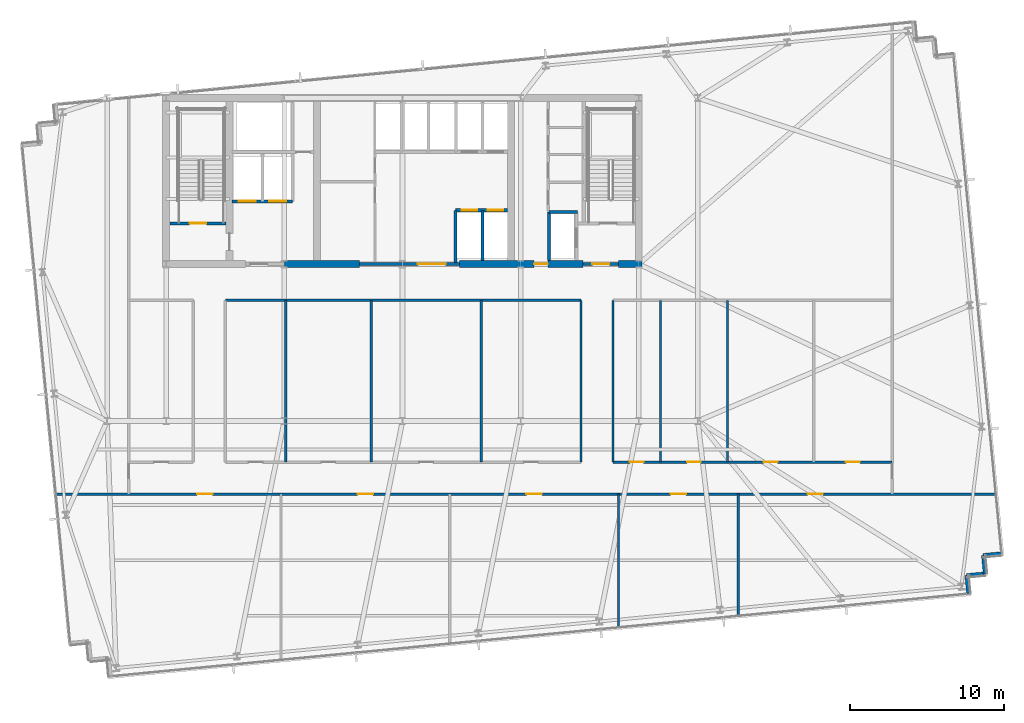
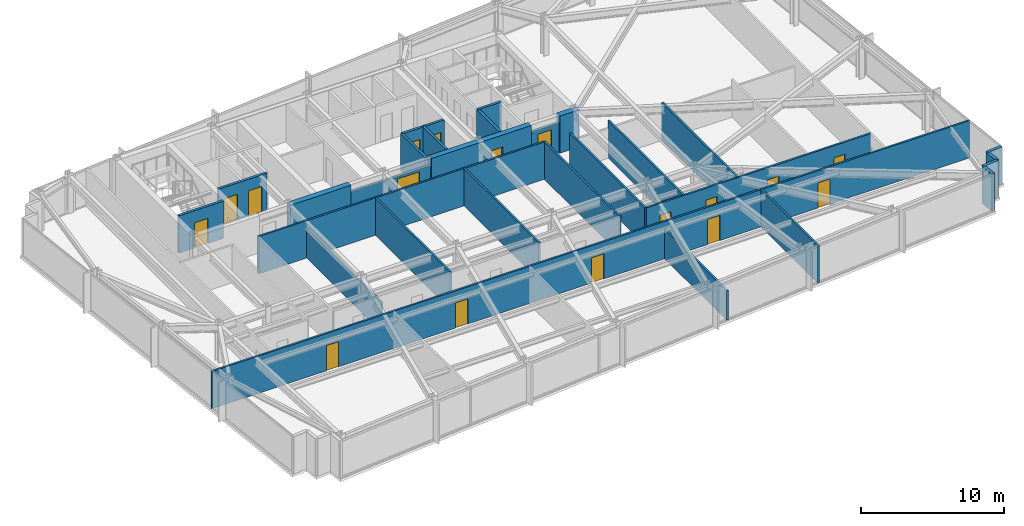
# One storey, part 25 of 33: 28 walls, 17 doors, 17 openings.
"""IFC4 building model written with IfcOpenShell, lengths in metres."""

from ifc_helpers import new_model, si_unit, direction, frame, frame_2d, origin, place, context, subcontext, project, spatial, rectangle, extrude, material, layer, layer_set, type_object, element, fill, save


model = new_model("IFC4")

# Units and contexts
model_context = context("Model", 3, precision=1e-05, world=origin(), true_north=direction((0.0, 1.0)))
body_context = subcontext(model_context, "Body", "Model", "MODEL_VIEW")
ifc_project = project(units=[si_unit("LENGTHUNIT", "METRE"), si_unit("AREAUNIT", "SQUARE_METRE"), si_unit("VOLUMEUNIT", "CUBIC_METRE"), si_unit("PLANEANGLEUNIT", "RADIAN"), si_unit("MASSUNIT", "GRAM", prefix="KILO")], contexts=[model_context])

# Site, building, storey
site_placement = place(None, origin())
site = spatial("IfcSite", under=ifc_project, at=site_placement, CompositionType="ELEMENT")
building_placement = place(site_placement, origin())
building = spatial("IfcBuilding", under=site, at=building_placement, Name="Yelkora Congress Tower", CompositionType="ELEMENT")
storey_placement = place(building_placement, frame((0.0, 0.0, 127.10009765625)))
storey = spatial("IfcBuildingStorey", under=building, at=storey_placement, Name="L34", CompositionType="ELEMENT", Elevation=127.10009765625)

# Wall
ifc_material_1 = material(Name="Concrete C60/75", Category="concrete")
ifc_layer_1 = layer(ifc_material_1, 0.449951171875)
ifc_layer_set_1 = layer_set([ifc_layer_1], Name="Concrete C60/75")
wall_type_1 = type_object("IfcWallType", Name="WALL-CORE-INT-450", PredefinedType="SHEAR", material=ifc_layer_set_1)
wall_1_placement = place(storey_placement, frame((30.719970703125, 35.39990234375, 0.0), z_axis=(0.0, 0.0, 1.0), x_axis=(1.0, 0.0, 0.0)))
element("IfcWall", 1, at=wall_1_placement, inside=storey, type_object=wall_type_1, Name="L34 Rear Core South-Center Shear Pier", PredefinedType="SHEAR", context=body_context, shape_type="SweptSolid", body=[
    extrude(rectangle(XDim=4.880126953125, YDim=0.449951171875, at=frame_2d((2.43994140625, 0.0))), origin(), (0.0, 0.0, 1.0), 3.179931640625),
])

# Wall, opening, door
wall_2_placement = place(storey_placement, frame((42.10009765625, 35.39990234375, 0.0), z_axis=(0.0, 0.0, 1.0), x_axis=(1.0, 0.0, 0.0)))
wall_2 = element("IfcWall", 2, at=wall_2_placement, inside=storey, type_object=wall_type_1, Name="L34 Rear Core South-East Shear Wall A", PredefinedType="SHEAR", context=body_context, shape_type="SweptSolid", body=[
    extrude(rectangle(XDim=8.0498046875, YDim=0.449951171875, at=frame_2d((4.02490234375, 0.0))), origin(), (0.0, 0.0, 1.0), 3.179931640625),
])
opening_1_placement = place(wall_2_placement, frame((4.85009765625, 0.0, 0.0)))
opening_1 = element("IfcOpeningElement", 3, at=opening_1_placement, cuts=wall_2, Name="Opening DR-090F6", PredefinedType="OPENING", context=body_context, shape_type="SweptSolid", body=[
    extrude(rectangle(XDim=0.89990234375, YDim=2.14990234375, at=frame_2d((0.449951171875, 1.074951171875))), frame((0.0, 0.23486328125, 0.0), z_axis=(0.0, -1.0, 0.0), x_axis=(1.0, 0.0, 0.0)), (0.0, 0.0, 1.0), 0.469970703125),
])
ifc_material_2 = material(Name="Painted steel riser fire door leaf", Category="steel")
door_type_1 = type_object("IfcDoorType", Name="DOOR-FD60-900", OperationType="NOTDEFINED", PredefinedType="DOOR", material=ifc_material_2)
door_1_placement = place(opening_1_placement, origin())
door_1 = element("IfcDoor", 4, at=door_1_placement, inside=storey, type_object=door_type_1, Name="L34 Core Washroom Lobby Door", OperationType="SINGLE_SWING_RIGHT", OverallHeight=2.14990234375, OverallWidth=0.89990234375, PredefinedType="DOOR", context=body_context, shape_type="SweptSolid", body=[
    extrude(rectangle(XDim=0.89990234375, YDim=2.14990234375, at=frame_2d((0.449951171875, 1.074951171875))), frame((0.0, 0.02490234375, 0.0), z_axis=(0.0, -1.0, 0.0), x_axis=(1.0, 0.0, 0.0)), (0.0, 0.0, 1.0), 0.050048828125),
])
fill(opening_1, door_1)

# Walls
wall_3_placement = place(storey_placement, frame((52.449951171875, 35.39990234375, 0.0), z_axis=(0.0, 0.0, 1.0), x_axis=(1.0, 0.0, 0.0)))
element("IfcWall", 5, at=wall_3_placement, inside=storey, type_object=wall_type_1, Name="L34 Rear Core South-East Shear Wall B", PredefinedType="SHEAR", context=body_context, shape_type="SweptSolid", body=[
    extrude(rectangle(XDim=1.53515625, YDim=0.449951171875, at=frame_2d((0.767578125, 0.0))), origin(), (0.0, 0.0, 1.0), 3.179931640625),
])
ifc_material_3 = material(Name="Concrete C40/50", Category="concrete")
ifc_layer_2 = layer(ifc_material_3, 0.239990234375)
ifc_layer_set_2 = layer_set([ifc_layer_2], Name="Concrete C40/50")
wall_type_2 = type_object("IfcWallType", Name="WALL-EXT-LIMESTONE-240", PredefinedType="SOLIDWALL", material=ifc_layer_set_2)
wall_4_placement = place(storey_placement, frame((77.34765625, 16.585693359375, 0.0), z_axis=(0.0, 0.0, 1.0), x_axis=(-0.995397091755, -0.095836473879, 0.0)))
element("IfcWall", 6, at=wall_4_placement, inside=storey, type_object=wall_type_2, Name="L34 Serrated Corner Limestone Pier 16", PredefinedType="SOLIDWALL", context=body_context, shape_type="SweptSolid", body=[
    extrude(rectangle(XDim=1.199951171875, YDim=0.239990234375, at=frame_2d((0.60009765625, 0.0))), origin(), (0.0, 0.0, 1.0), 3.179931640625),
])
for number, where, z_axis, x_axis, name in (
    (7, (76.1533203125, 16.470703125, 0.0), (0.0, 0.0, 1.0), (0.095817067274, -0.995398960025, 0.0), "L34 Serrated Corner Limestone Pier 17"),
    (8, (76.268310546875, 15.276123046875, 0.0), (0.0, 0.0, 1.0), (-0.995398960025, -0.095817067274, 0.0), "L34 Serrated Corner Limestone Pier 18"),
):
    element("IfcWall", number, at=place(storey_placement, frame(where, z_axis=z_axis, x_axis=x_axis)), inside=storey, type_object=wall_type_2, Name=name, PredefinedType="SOLIDWALL", context=body_context, shape_type="SweptSolid", body=[
        extrude(rectangle(XDim=1.2001953125, YDim=0.239990234375, at=frame_2d((0.60009765625, 0.0))), origin(), (0.0, 0.0, 1.0), 3.179931640625),
    ])
wall_5_placement = place(storey_placement, frame((75.07373046875, 15.1611328125, 0.0), z_axis=(0.0, 0.0, 1.0), x_axis=(0.095836473879, -0.995397091755, 0.0)))
element("IfcWall", 9, at=wall_5_placement, inside=storey, type_object=wall_type_2, Name="L34 Serrated Corner Limestone Pier 19", PredefinedType="SOLIDWALL", context=body_context, shape_type="SweptSolid", body=[
    extrude(rectangle(XDim=1.199951171875, YDim=0.239990234375, at=frame_2d((0.60009765625, 0.0))), origin(), (0.0, 0.0, 1.0), 3.179931640625),
])
ifc_material_4 = material(Name="Acoustic metal-stud gypsum partition", Category="gypsum")
ifc_layer_3 = layer(ifc_material_4, 0.14990234375)
ifc_layer_set_3 = layer_set([ifc_layer_3], Name="Acoustic metal-stud gypsum partition")
wall_type_3 = type_object("IfcWallType", Name="WALL-INT-150-NR", PredefinedType="PARTITIONING", material=ifc_layer_set_3)
wall_6_placement = place(storey_placement, frame((52.447998046875, 11.716796875, 0.0), z_axis=(0.0, 0.0, 1.0), x_axis=(0.0, 1.0, 0.0)))
element("IfcWall", 10, at=wall_6_placement, inside=storey, type_object=wall_type_3, Name="L34 Partition Wall 30", PredefinedType="PARTITIONING", context=body_context, shape_type="SweptSolid", body=[
    extrude(rectangle(XDim=8.753173828125, YDim=0.14990234375, at=frame_2d((4.37646484375, 0.0))), origin(), (0.0, 0.0, 1.0), 2.52490234375),
])
wall_7_placement = place(storey_placement, frame((60.220947265625, 12.465087890625, 0.0), z_axis=(0.0, 0.0, 1.0), x_axis=(0.0, 1.0, 0.0)))
element("IfcWall", 11, at=wall_7_placement, inside=storey, type_object=wall_type_3, Name="L34 Partition Wall 31", PredefinedType="PARTITIONING", context=body_context, shape_type="SweptSolid", body=[
    extrude(rectangle(XDim=8.0048828125, YDim=0.14990234375, at=frame_2d((4.00244140625, 0.0))), origin(), (0.0, 0.0, 1.0), 3.179931640625),
])

# Wall, openings, doors
wall_8_placement = place(storey_placement, frame((15.814208984375, 20.449951171875, 0.0), z_axis=(0.0, 0.0, 1.0), x_axis=(1.0, 0.0, 0.0)))
wall_8 = element("IfcWall", 12, at=wall_8_placement, inside=storey, type_object=wall_type_3, Name="L34 South Spine Wall", PredefinedType="PARTITIONING", context=body_context, shape_type="SweptSolid", body=[
    extrude(rectangle(XDim=61.2216796875, YDim=0.14990234375, at=frame_2d((30.61083984375, 0.0))), origin(), (0.0, 0.0, 1.0), 3.179931640625),
])
opening_2_placement = place(wall_8_placement, frame((9.243408203125, 0.0, 0.0)))
opening_2 = element("IfcOpeningElement", 13, at=opening_2_placement, cuts=wall_8, Name="Opening DR-100N", PredefinedType="OPENING", context=body_context, shape_type="SweptSolid", body=[
    extrude(rectangle(XDim=1.0, YDim=2.14990234375, at=frame_2d((0.5, 1.074951171875))), frame((0.0, 0.0849609375, 0.0), z_axis=(0.0, -1.0, 0.0), x_axis=(1.0, 0.0, 0.0)), (0.0, 0.0, 1.0), 0.169921875),
])
opening_3_placement = place(wall_8_placement, frame((19.673828125, 0.0, 0.0)))
opening_3 = element("IfcOpeningElement", 14, at=opening_3_placement, cuts=wall_8, Name="Opening DR-100N", PredefinedType="OPENING", context=body_context, shape_type="SweptSolid", body=[
    extrude(rectangle(XDim=1.0, YDim=2.14990234375, at=frame_2d((0.5, 1.074951171875))), frame((0.0, 0.0849609375, 0.0), z_axis=(0.0, -1.0, 0.0), x_axis=(1.0, 0.0, 0.0)), (0.0, 0.0, 1.0), 0.169921875),
])
opening_4_placement = place(wall_8_placement, frame((30.6474609375, 0.0, 0.0)))
opening_4 = element("IfcOpeningElement", 15, at=opening_4_placement, cuts=wall_8, Name="Opening DR-100N", PredefinedType="OPENING", context=body_context, shape_type="SweptSolid", body=[
    extrude(rectangle(XDim=1.0, YDim=2.14990234375, at=frame_2d((0.5, 1.074951171875))), frame((0.0, 0.0849609375, 0.0), z_axis=(0.0, -1.0, 0.0), x_axis=(1.0, 0.0, 0.0)), (0.0, 0.0, 1.0), 0.169921875),
])
opening_5_placement = place(wall_8_placement, frame((40.0205078125, 0.0, 0.0)))
opening_5 = element("IfcOpeningElement", 16, at=opening_5_placement, cuts=wall_8, Name="Opening DR-100N", PredefinedType="OPENING", context=body_context, shape_type="SweptSolid", body=[
    extrude(rectangle(XDim=1.0, YDim=2.14990234375, at=frame_2d((0.5, 1.074951171875))), frame((0.0, 0.0849609375, 0.0), z_axis=(0.0, -1.0, 0.0), x_axis=(1.0, 0.0, 0.0)), (0.0, 0.0, 1.0), 0.169921875),
])
opening_6_placement = place(wall_8_placement, frame((48.914306640625, 0.0, 0.0)))
opening_6 = element("IfcOpeningElement", 17, at=opening_6_placement, cuts=wall_8, Name="Opening DR-100N", PredefinedType="OPENING", context=body_context, shape_type="SweptSolid", body=[
    extrude(rectangle(XDim=1.0, YDim=2.14990234375, at=frame_2d((0.5, 1.074951171875))), frame((0.0, 0.0849609375, 0.0), z_axis=(0.0, -1.0, 0.0), x_axis=(1.0, 0.0, 0.0)), (0.0, 0.0, 1.0), 0.169921875),
])
ifc_material_5 = material(Name="Solid-core Anatolian oak veneer door", Category="wood")
door_type_2 = type_object("IfcDoorType", Name="DOOR-INT-1000", OperationType="NOTDEFINED", PredefinedType="DOOR", material=ifc_material_5)
door_2_placement = place(opening_2_placement, origin())
door_2 = element("IfcDoor", 18, at=door_2_placement, inside=storey, type_object=door_type_2, Name="L34 Translation Studio Door", OperationType="SINGLE_SWING_RIGHT", OverallHeight=2.14990234375, OverallWidth=1.0, PredefinedType="DOOR", context=body_context, shape_type="SweptSolid", body=[
    extrude(rectangle(XDim=1.0, YDim=2.14990234375, at=frame_2d((0.5, 1.074951171875))), frame((0.0, 0.02490234375, 0.0), z_axis=(0.0, -1.0, 0.0), x_axis=(1.0, 0.0, 0.0)), (0.0, 0.0, 1.0), 0.050048828125),
])
fill(opening_2, door_2)
door_3_placement = place(opening_3_placement, origin())
door_3 = element("IfcDoor", 19, at=door_3_placement, inside=storey, type_object=door_type_2, Name="L34 Store Supply Door", OperationType="SINGLE_SWING_LEFT", OverallHeight=2.14990234375, OverallWidth=1.0, PredefinedType="DOOR", context=body_context, shape_type="SweptSolid", body=[
    extrude(rectangle(XDim=1.0, YDim=2.14990234375, at=frame_2d((0.5, 1.074951171875))), frame((0.0, 0.02490234375, 0.0), z_axis=(0.0, -1.0, 0.0), x_axis=(1.0, 0.0, 0.0)), (0.0, 0.0, 1.0), 0.050048828125),
])
fill(opening_3, door_3)
door_4_placement = place(opening_4_placement, origin())
door_4 = element("IfcDoor", 20, at=door_4_placement, inside=storey, type_object=door_type_2, Name="L34 Delegate Office Suite Door", OperationType="SINGLE_SWING_RIGHT", OverallHeight=2.14990234375, OverallWidth=1.0, PredefinedType="DOOR", context=body_context, shape_type="SweptSolid", body=[
    extrude(rectangle(XDim=1.0, YDim=2.14990234375, at=frame_2d((0.5, 1.074951171875))), frame((0.0, 0.02490234375, 0.0), z_axis=(0.0, -1.0, 0.0), x_axis=(1.0, 0.0, 0.0)), (0.0, 0.0, 1.0), 0.050048828125),
])
fill(opening_4, door_4)
door_5_placement = place(opening_5_placement, origin())
door_5 = element("IfcDoor", 21, at=door_5_placement, inside=storey, type_object=door_type_2, Name="L34 Committee Meeting Room Door", OperationType="SINGLE_SWING_LEFT", OverallHeight=2.14990234375, OverallWidth=1.0, PredefinedType="DOOR", context=body_context, shape_type="SweptSolid", body=[
    extrude(rectangle(XDim=1.0, YDim=2.14990234375, at=frame_2d((0.5, 1.074951171875))), frame((0.0, 0.02490234375, 0.0), z_axis=(0.0, -1.0, 0.0), x_axis=(1.0, 0.0, 0.0)), (0.0, 0.0, 1.0), 0.050048828125),
])
fill(opening_5, door_5)
door_6_placement = place(opening_6_placement, origin())
door_6 = element("IfcDoor", 22, at=door_6_placement, inside=storey, type_object=door_type_2, Name="L34 Committee Meeting Room Door", OperationType="SINGLE_SWING_RIGHT", OverallHeight=2.14990234375, OverallWidth=1.0, PredefinedType="DOOR", context=body_context, shape_type="SweptSolid", body=[
    extrude(rectangle(XDim=1.0, YDim=2.14990234375, at=frame_2d((0.5, 1.074951171875))), frame((0.0, 0.02490234375, 0.0), z_axis=(0.0, -1.0, 0.0), x_axis=(1.0, 0.0, 0.0)), (0.0, 0.0, 1.0), 0.050048828125),
])
fill(opening_6, door_6)

# Walls
for number, where, z_axis, x_axis, name in (
    (23, (50.0, 22.530029296875, 0.0), (0.0, 0.0, 1.0), (0.0, 1.0, 0.0), "L34 Partition Wall 37"),
    (24, (52.080078125, 22.530029296875, 0.0), (0.0, 0.0, 1.0), (0.0, 1.0, 0.0), "L34 Partition Wall 38"),
):
    element("IfcWall", number, at=place(storey_placement, frame(where, z_axis=z_axis, x_axis=x_axis)), inside=storey, type_object=wall_type_3, Name=name, PredefinedType="PARTITIONING", context=body_context, shape_type="SweptSolid", body=[
        extrude(rectangle(XDim=10.52001953125, YDim=0.14990234375, at=frame_2d((5.260009765625, 0.0))), origin(), (0.0, 0.0, 1.0), 3.179931640625),
    ])
wall_9_placement = place(storey_placement, frame((26.8798828125, 33.050048828125, 0.0), z_axis=(0.0, 0.0, 1.0), x_axis=(1.0, 0.0, 0.0)))
element("IfcWall", 25, at=wall_9_placement, inside=storey, type_object=wall_type_3, Name="L34 Partition Wall 40", PredefinedType="PARTITIONING", context=body_context, shape_type="SweptSolid", body=[
    extrude(rectangle(XDim=23.1201171875, YDim=0.14990234375, at=frame_2d((11.56005859375, 0.0))), origin(), (0.0, 0.0, 1.0), 3.179931640625),
])
wall_10_placement = place(storey_placement, frame((30.81689453125, 22.530029296875, 0.0), z_axis=(0.0, 0.0, 1.0), x_axis=(0.0, 1.0, 0.0)))
element("IfcWall", 26, at=wall_10_placement, inside=storey, type_object=wall_type_3, Name="L34 Partition Wall 43", PredefinedType="PARTITIONING", context=body_context, shape_type="SweptSolid", body=[
    extrude(rectangle(XDim=10.52001953125, YDim=0.14990234375, at=frame_2d((5.260009765625, 0.0))), origin(), (0.0, 0.0, 1.0), 2.52490234375),
])
for number, where, z_axis, x_axis, name in (
    (27, (36.361083984375, 22.530029296875, 0.0), (0.0, 0.0, 1.0), (0.0, 1.0, 0.0), "L34 Partition Wall 44"),
    (28, (43.52197265625, 22.530029296875, 0.0), (0.0, 0.0, 1.0), (0.0, 1.0, 0.0), "L34 Partition Wall 45"),
    (29, (55.1708984375, 22.530029296875, 0.0), (0.0, 0.0, 1.0), (0.0, 1.0, 0.0), "L34 Partition Wall 47"),
    (30, (59.52197265625, 22.530029296875, 0.0), (0.0, 0.0, 1.0), (0.0, 1.0, 0.0), "L34 Partition Wall 48"),
):
    element("IfcWall", number, at=place(storey_placement, frame(where, z_axis=z_axis, x_axis=x_axis)), inside=storey, type_object=wall_type_3, Name=name, PredefinedType="PARTITIONING", context=body_context, shape_type="SweptSolid", body=[
        extrude(rectangle(XDim=10.52001953125, YDim=0.14990234375, at=frame_2d((5.260009765625, 0.0))), origin(), (0.0, 0.0, 1.0), 3.179931640625),
    ])

# Wall, openings, doors
wall_11_placement = place(storey_placement, frame((52.090087890625, 22.530029296875, 0.0), z_axis=(0.0, 0.0, 1.0), x_axis=(1.0, 0.0, 0.0)))
wall_11 = element("IfcWall", 31, at=wall_11_placement, inside=storey, type_object=wall_type_3, Name="L34 Partition Wall 50", PredefinedType="PARTITIONING", context=body_context, shape_type="SweptSolid", body=[
    extrude(rectangle(XDim=18.1259765625, YDim=0.14990234375, at=frame_2d((9.06298828125, 0.0))), origin(), (0.0, 0.0, 1.0), 3.179931640625),
])
opening_7_placement = place(wall_11_placement, frame((1.090576171875, 0.0, 0.0)))
opening_7 = element("IfcOpeningElement", 32, at=opening_7_placement, cuts=wall_11, Name="Opening DR-090N", PredefinedType="OPENING", context=body_context, shape_type="SweptSolid", body=[
    extrude(rectangle(XDim=0.89990234375, YDim=2.14990234375, at=frame_2d((0.449951171875, 1.074951171875))), frame((0.0, 0.0849609375, 0.0), z_axis=(0.0, -1.0, 0.0), x_axis=(1.0, 0.0, 0.0)), (0.0, 0.0, 1.0), 0.169921875),
])
opening_8_placement = place(wall_11_placement, frame((4.806396484375, 0.0, 0.0)))
opening_8 = element("IfcOpeningElement", 33, at=opening_8_placement, cuts=wall_11, Name="Opening DR-090N", PredefinedType="OPENING", context=body_context, shape_type="SweptSolid", body=[
    extrude(rectangle(XDim=0.89990234375, YDim=2.14990234375, at=frame_2d((0.449951171875, 1.074951171875))), frame((0.0, 0.0849609375, 0.0), z_axis=(0.0, -1.0, 0.0), x_axis=(1.0, 0.0, 0.0)), (0.0, 0.0, 1.0), 0.169921875),
])
opening_9_placement = place(wall_11_placement, frame((9.79150390625, 0.0, 0.0)))
opening_9 = element("IfcOpeningElement", 34, at=opening_9_placement, cuts=wall_11, Name="Opening DR-090N", PredefinedType="OPENING", context=body_context, shape_type="SweptSolid", body=[
    extrude(rectangle(XDim=0.89990234375, YDim=2.14990234375, at=frame_2d((0.449951171875, 1.074951171875))), frame((0.0, 0.0849609375, 0.0), z_axis=(0.0, -1.0, 0.0), x_axis=(1.0, 0.0, 0.0)), (0.0, 0.0, 1.0), 0.169921875),
])
opening_10_placement = place(wall_11_placement, frame((15.138427734375, 0.0, 0.0)))
opening_10 = element("IfcOpeningElement", 35, at=opening_10_placement, cuts=wall_11, Name="Opening DR-090N", PredefinedType="OPENING", context=body_context, shape_type="SweptSolid", body=[
    extrude(rectangle(XDim=0.89990234375, YDim=2.14990234375, at=frame_2d((0.449951171875, 1.074951171875))), frame((0.0, 0.0849609375, 0.0), z_axis=(0.0, -1.0, 0.0), x_axis=(1.0, 0.0, 0.0)), (0.0, 0.0, 1.0), 0.169921875),
])
ifc_material_6 = material(Name="Moisture-resistant laminate door leaf", Category="wood")
door_type_3 = type_object("IfcDoorType", Name="DOOR-INT-900", OperationType="NOTDEFINED", PredefinedType="DOOR", material=ifc_material_6)
door_7_placement = place(opening_7_placement, origin())
door_7 = element("IfcDoor", 36, at=door_7_placement, inside=storey, type_object=door_type_3, Name="L34 Delegate Reading Lounge Door", OperationType="SINGLE_SWING_RIGHT", OverallHeight=2.14990234375, OverallWidth=0.89990234375, PredefinedType="DOOR", context=body_context, shape_type="SweptSolid", body=[
    extrude(rectangle(XDim=0.89990234375, YDim=2.14990234375, at=frame_2d((0.449951171875, 1.074951171875))), frame((0.0, 0.02490234375, 0.0), z_axis=(0.0, -1.0, 0.0), x_axis=(1.0, 0.0, 0.0)), (0.0, 0.0, 1.0), 0.050048828125),
])
fill(opening_7, door_7)
door_8_placement = place(opening_8_placement, origin())
door_8 = element("IfcDoor", 37, at=door_8_placement, inside=storey, type_object=door_type_3, Name="L34 Seminar Briefing Room Door", OperationType="SINGLE_SWING_LEFT", OverallHeight=2.14990234375, OverallWidth=0.89990234375, PredefinedType="DOOR", context=body_context, shape_type="SweptSolid", body=[
    extrude(rectangle(XDim=0.89990234375, YDim=2.14990234375, at=frame_2d((0.449951171875, 1.074951171875))), frame((0.0, 0.02490234375, 0.0), z_axis=(0.0, -1.0, 0.0), x_axis=(1.0, 0.0, 0.0)), (0.0, 0.0, 1.0), 0.050048828125),
])
fill(opening_8, door_8)
door_9_placement = place(opening_9_placement, origin())
door_9 = element("IfcDoor", 38, at=door_9_placement, inside=storey, type_object=door_type_3, Name="L34 Executive Study Office Door", OperationType="SINGLE_SWING_RIGHT", OverallHeight=2.14990234375, OverallWidth=0.89990234375, PredefinedType="DOOR", context=body_context, shape_type="SweptSolid", body=[
    extrude(rectangle(XDim=0.89990234375, YDim=2.14990234375, at=frame_2d((0.449951171875, 1.074951171875))), frame((0.0, 0.02490234375, 0.0), z_axis=(0.0, -1.0, 0.0), x_axis=(1.0, 0.0, 0.0)), (0.0, 0.0, 1.0), 0.050048828125),
])
fill(opening_9, door_9)
door_10_placement = place(opening_10_placement, origin())
door_10 = element("IfcDoor", 39, at=door_10_placement, inside=storey, type_object=door_type_3, Name="L34 Delegate Reading Lounge Door", OperationType="SINGLE_SWING_LEFT", OverallHeight=2.14990234375, OverallWidth=0.89990234375, PredefinedType="DOOR", context=body_context, shape_type="SweptSolid", body=[
    extrude(rectangle(XDim=0.89990234375, YDim=2.14990234375, at=frame_2d((0.449951171875, 1.074951171875))), frame((0.0, 0.02490234375, 0.0), z_axis=(0.0, -1.0, 0.0), x_axis=(1.0, 0.0, 0.0)), (0.0, 0.0, 1.0), 0.050048828125),
])
fill(opening_10, door_10)

# Wall, opening, door
ifc_material_7 = material(Name="Autoclaved aerated concrete blockwork", Category="masonry")
ifc_layer_4 = layer(ifc_material_7, 0.199951171875)
ifc_layer_set_4 = layer_set([ifc_layer_4], Name="Autoclaved aerated concrete blockwork")
wall_type_4 = type_object("IfcWallType", Name="WALL-INT-200-R120", PredefinedType="PARTITIONING", material=ifc_layer_set_4)
wall_12_placement = place(storey_placement, frame((23.300048828125, 38.050048828125, 0.0), z_axis=(0.0, 0.0, 1.0), x_axis=(1.0, 0.0, 0.0)))
wall_12 = element("IfcWall", 40, at=wall_12_placement, inside=storey, type_object=wall_type_4, Name="L34 Stair ST-01 Enclosure Wall", PredefinedType="PARTITIONING", context=body_context, shape_type="SweptSolid", body=[
    extrude(rectangle(XDim=3.619873046875, YDim=0.199951171875, at=frame_2d((1.81005859375, 0.0))), origin(), (0.0, 0.0, 1.0), 3.179931640625),
])
opening_11_placement = place(wall_12_placement, frame((1.260009765625, 0.0, 0.0)))
opening_11 = element("IfcOpeningElement", 41, at=opening_11_placement, cuts=wall_12, Name="Opening DR-110F9", PredefinedType="OPENING", context=body_context, shape_type="SweptSolid", body=[
    extrude(rectangle(XDim=1.10009765625, YDim=2.14990234375, at=frame_2d((0.550048828125, 1.074951171875))), frame((0.0, 0.10986328125, 0.0), z_axis=(0.0, -1.0, 0.0), x_axis=(1.0, 0.0, 0.0)), (0.0, 0.0, 1.0), 0.219970703125),
])
ifc_material_8 = material(Name="Galvanised steel fire door leaf", Category="steel")
door_type_4 = type_object("IfcDoorType", Name="DOOR-FD90-1100", OperationType="NOTDEFINED", PredefinedType="DOOR", material=ifc_material_8)
door_11_placement = place(opening_11_placement, origin())
door_11 = element("IfcDoor", 42, at=door_11_placement, inside=storey, type_object=door_type_4, Name="L34 Stair ST-01 Entry Door", OperationType="SINGLE_SWING_LEFT", OverallHeight=2.14990234375, OverallWidth=1.10009765625, PredefinedType="DOOR", context=body_context, shape_type="SweptSolid", body=[
    extrude(rectangle(XDim=1.10009765625, YDim=2.14990234375, at=frame_2d((0.550048828125, 1.074951171875))), frame((0.0, 0.02490234375, 0.0), z_axis=(0.0, -1.0, 0.0), x_axis=(1.0, 0.0, 0.0)), (0.0, 0.0, 1.0), 0.050048828125),
])
fill(opening_11, door_11)

# Wall, openings, doors
wall_13_placement = place(storey_placement, frame((27.320068359375, 39.47998046875, 0.0), z_axis=(0.0, 0.0, 1.0), x_axis=(1.0, 0.0, 0.0)))
wall_13 = element("IfcWall", 43, at=wall_13_placement, inside=storey, type_object=wall_type_4, Name="L34 Firefighting Lift Front Wall", PredefinedType="PARTITIONING", context=body_context, shape_type="SweptSolid", body=[
    extrude(rectangle(XDim=3.93994140625, YDim=0.199951171875, at=frame_2d((1.969970703125, 0.0))), origin(), (0.0, 0.0, 1.0), 3.179931640625),
])
opening_12_placement = place(wall_13_placement, frame((0.449951171875, 0.0, 0.0)))
opening_12 = element("IfcOpeningElement", 44, at=opening_12_placement, cuts=wall_13, Name="Opening LD-FF11", PredefinedType="OPENING", context=body_context, shape_type="SweptSolid", body=[
    extrude(rectangle(XDim=1.10009765625, YDim=2.199951171875, at=frame_2d((0.550048828125, 1.10009765625))), frame((0.0, 0.10986328125, 0.0), z_axis=(0.0, -1.0, 0.0), x_axis=(1.0, 0.0, 0.0)), (0.0, 0.0, 1.0), 0.219970703125),
])
opening_13_placement = place(wall_13_placement, frame((2.409912109375, 0.0, 0.0)))
opening_13 = element("IfcOpeningElement", 45, at=opening_13_placement, cuts=wall_13, Name="Opening LD-FF11", PredefinedType="OPENING", context=body_context, shape_type="SweptSolid", body=[
    extrude(rectangle(XDim=1.10009765625, YDim=2.199951171875, at=frame_2d((0.550048828125, 1.10009765625))), frame((0.0, 0.10986328125, 0.0), z_axis=(0.0, -1.0, 0.0), x_axis=(1.0, 0.0, 0.0)), (0.0, 0.0, 1.0), 0.219970703125),
])
ifc_material_9 = material(Name="Brushed stainless steel 316L landing door", Category="steel")
door_type_5 = type_object("IfcDoorType", Name="DOOR-LIFT-FF-1100", OperationType="DOUBLE_DOOR_SLIDING", PredefinedType="DOOR", material=ifc_material_9)
door_12_placement = place(opening_12_placement, origin())
door_12 = element("IfcDoor", 46, at=door_12_placement, inside=storey, type_object=door_type_5, Name="Lift Landing Door LF-FF1 L34", OperationType="DOUBLE_DOOR_SLIDING", OverallHeight=2.199951171875, OverallWidth=1.10009765625, PredefinedType="DOOR", context=body_context, shape_type="SweptSolid", body=[
    extrude(rectangle(XDim=1.10009765625, YDim=2.199951171875, at=frame_2d((0.550048828125, 1.10009765625))), frame((0.0, 0.02490234375, 0.0), z_axis=(0.0, -1.0, 0.0), x_axis=(1.0, 0.0, 0.0)), (0.0, 0.0, 1.0), 0.050048828125),
])
fill(opening_12, door_12)
door_13_placement = place(opening_13_placement, origin())
door_13 = element("IfcDoor", 47, at=door_13_placement, inside=storey, type_object=door_type_5, Name="Lift Landing Door LF-FF2 L34", OperationType="DOUBLE_DOOR_SLIDING", OverallHeight=2.199951171875, OverallWidth=1.10009765625, PredefinedType="DOOR", context=body_context, shape_type="SweptSolid", body=[
    extrude(rectangle(XDim=1.10009765625, YDim=2.199951171875, at=frame_2d((0.550048828125, 1.10009765625))), frame((0.0, 0.02490234375, 0.0), z_axis=(0.0, -1.0, 0.0), x_axis=(1.0, 0.0, 0.0)), (0.0, 0.0, 1.0), 0.050048828125),
])
fill(opening_13, door_13)

# Wall, opening, door
wall_14_placement = place(storey_placement, frame((35.60009765625, 35.39990234375, 0.0), z_axis=(0.0, 0.0, 1.0), x_axis=(1.0, 0.0, 0.0)))
wall_14 = element("IfcWall", 48, at=wall_14_placement, inside=storey, type_object=wall_type_4, Name="L34 Main Lift Lobby South Portal Wall", PredefinedType="PARTITIONING", context=body_context, shape_type="SweptSolid", body=[
    extrude(rectangle(XDim=6.5, YDim=0.199951171875, at=frame_2d((3.25, 0.0))), origin(), (0.0, 0.0, 1.0), 2.52490234375),
])
opening_14_placement = place(wall_14_placement, frame((3.800048828125, 0.0, 0.0)))
opening_14 = element("IfcOpeningElement", 49, at=opening_14_placement, cuts=wall_14, Name="Opening DR-180D", PredefinedType="OPENING", context=body_context, shape_type="SweptSolid", body=[
    extrude(rectangle(XDim=1.800048828125, YDim=2.300048828125, at=frame_2d((0.89990234375, 1.14990234375))), frame((0.0, 0.10986328125, 0.0), z_axis=(0.0, -1.0, 0.0), x_axis=(1.0, 0.0, 0.0)), (0.0, 0.0, 1.0), 0.219970703125),
])
ifc_material_10 = material(Name="Acoustic double congress hall doors", Category="wood")
door_type_6 = type_object("IfcDoorType", Name="DOOR-DBL-1800", OperationType="DOUBLE_DOOR_SINGLE_SWING", PredefinedType="DOOR", material=ifc_material_10)
door_14_placement = place(opening_14_placement, origin())
door_14 = element("IfcDoor", 50, at=door_14_placement, inside=storey, type_object=door_type_6, Name="L34 Main Lift Lobby Portal Door", OperationType="DOUBLE_DOOR_SINGLE_SWING", OverallHeight=2.300048828125, OverallWidth=1.800048828125, PredefinedType="DOOR", context=body_context, shape_type="SweptSolid", body=[
    extrude(rectangle(XDim=1.800048828125, YDim=2.300048828125, at=frame_2d((0.89990234375, 1.14990234375))), frame((0.0, 0.02490234375, 0.0), z_axis=(0.0, -1.0, 0.0), x_axis=(1.0, 0.0, 0.0)), (0.0, 0.0, 1.0), 0.050048828125),
])
fill(opening_14, door_14)

# Wall, openings, doors
wall_15_placement = place(storey_placement, frame((41.85009765625, 38.89990234375, 0.0), z_axis=(0.0, 0.0, 1.0), x_axis=(1.0, 0.0, 0.0)))
wall_15 = element("IfcWall", 51, at=wall_15_placement, inside=storey, type_object=wall_type_4, Name="L34 Partition Wall 13", PredefinedType="PARTITIONING", context=body_context, shape_type="SweptSolid", body=[
    extrude(rectangle(XDim=3.369873046875, YDim=0.199951171875, at=frame_2d((1.68505859375, 0.0))), origin(), (0.0, 0.0, 1.0), 3.179931640625),
])
opening_15_placement = place(wall_15_placement, frame((0.39990234375, 0.0, 0.0)))
opening_15 = element("IfcOpeningElement", 52, at=opening_15_placement, cuts=wall_15, Name="Opening LD-PS10", PredefinedType="OPENING", context=body_context, shape_type="SweptSolid", body=[
    extrude(rectangle(XDim=1.0, YDim=2.199951171875, at=frame_2d((0.5, 1.10009765625))), frame((0.0, 0.10986328125, 0.0), z_axis=(0.0, -1.0, 0.0), x_axis=(1.0, 0.0, 0.0)), (0.0, 0.0, 1.0), 0.219970703125),
])
opening_16_placement = place(wall_15_placement, frame((2.10009765625, 0.0, 0.0)))
opening_16 = element("IfcOpeningElement", 53, at=opening_16_placement, cuts=wall_15, Name="Opening LD-PS10", PredefinedType="OPENING", context=body_context, shape_type="SweptSolid", body=[
    extrude(rectangle(XDim=1.0, YDim=2.199951171875, at=frame_2d((0.5, 1.10009765625))), frame((0.0, 0.10986328125, 0.0), z_axis=(0.0, -1.0, 0.0), x_axis=(1.0, 0.0, 0.0)), (0.0, 0.0, 1.0), 0.219970703125),
])
ifc_material_11 = material(Name="Champagne stainless steel landing door", Category="steel")
door_type_7 = type_object("IfcDoorType", Name="DOOR-LIFT-PAS-1000", OperationType="DOUBLE_DOOR_SLIDING", PredefinedType="DOOR", material=ifc_material_11)
door_15_placement = place(opening_15_placement, origin())
door_15 = element("IfcDoor", 54, at=door_15_placement, inside=storey, type_object=door_type_7, Name="Lift Landing Door LF-P5 L34", OperationType="DOUBLE_DOOR_SLIDING", OverallHeight=2.199951171875, OverallWidth=1.0, PredefinedType="DOOR", context=body_context, shape_type="SweptSolid", body=[
    extrude(rectangle(XDim=1.0, YDim=2.199951171875, at=frame_2d((0.5, 1.10009765625))), frame((0.0, 0.02490234375, 0.0), z_axis=(0.0, -1.0, 0.0), x_axis=(1.0, 0.0, 0.0)), (0.0, 0.0, 1.0), 0.050048828125),
])
fill(opening_15, door_15)
door_16_placement = place(opening_16_placement, origin())
door_16 = element("IfcDoor", 55, at=door_16_placement, inside=storey, type_object=door_type_7, Name="Lift Landing Door LF-P6 L34", OperationType="DOUBLE_DOOR_SLIDING", OverallHeight=2.199951171875, OverallWidth=1.0, PredefinedType="DOOR", context=body_context, shape_type="SweptSolid", body=[
    extrude(rectangle(XDim=1.0, YDim=2.199951171875, at=frame_2d((0.5, 1.10009765625))), frame((0.0, 0.02490234375, 0.0), z_axis=(0.0, -1.0, 0.0), x_axis=(1.0, 0.0, 0.0)), (0.0, 0.0, 1.0), 0.050048828125),
])
fill(opening_16, door_16)

# Walls
wall_16_placement = place(storey_placement, frame((43.60009765625, 35.64990234375, 0.0), z_axis=(0.0, 0.0, 1.0), x_axis=(0.0, 1.0, 0.0)))
element("IfcWall", 56, at=wall_16_placement, inside=storey, type_object=wall_type_4, Name="L34 Partition Wall 15", PredefinedType="PARTITIONING", context=body_context, shape_type="SweptSolid", body=[
    extrude(rectangle(XDim=3.25, YDim=0.199951171875, at=frame_2d((1.625, 0.0))), origin(), (0.0, 0.0, 1.0), 3.179931640625),
])
wall_17_placement = place(storey_placement, frame((41.85009765625, 35.5, 0.0), z_axis=(0.0, 0.0, 1.0), x_axis=(0.0, 1.0, 0.0)))
element("IfcWall", 57, at=wall_17_placement, inside=storey, type_object=wall_type_4, Name="L34 Partition Wall 17", PredefinedType="PARTITIONING", context=body_context, shape_type="SweptSolid", body=[
    extrude(rectangle(XDim=3.39990234375, YDim=0.199951171875, at=frame_2d((1.699951171875, 0.0))), origin(), (0.0, 0.0, 1.0), 3.179931640625),
])

# Wall, opening, door
wall_18_placement = place(storey_placement, frame((50.14990234375, 35.39990234375, 0.0), z_axis=(0.0, 0.0, 1.0), x_axis=(1.0, 0.0, 0.0)))
wall_18 = element("IfcWall", 58, at=wall_18_placement, inside=storey, type_object=wall_type_4, Name="L34 Partition Wall 20", PredefinedType="PARTITIONING", context=body_context, shape_type="SweptSolid", body=[
    extrude(rectangle(XDim=2.300048828125, YDim=0.199951171875, at=frame_2d((1.14990234375, 0.0))), origin(), (0.0, 0.0, 1.0), 2.52490234375),
])
opening_17_placement = place(wall_18_placement, frame((0.60009765625, 0.0, 0.0)))
opening_17 = element("IfcOpeningElement", 59, at=opening_17_placement, cuts=wall_18, Name="Opening DR-110F9", PredefinedType="OPENING", context=body_context, shape_type="SweptSolid", body=[
    extrude(rectangle(XDim=1.10009765625, YDim=2.14990234375, at=frame_2d((0.550048828125, 1.074951171875))), frame((0.0, 0.10986328125, 0.0), z_axis=(0.0, -1.0, 0.0), x_axis=(1.0, 0.0, 0.0)), (0.0, 0.0, 1.0), 0.219970703125),
])
door_17_placement = place(opening_17_placement, origin())
door_17 = element("IfcDoor", 60, at=door_17_placement, inside=storey, type_object=door_type_4, Name="L34 East Stair Lobby Door", OperationType="SINGLE_SWING_RIGHT", OverallHeight=2.14990234375, OverallWidth=1.10009765625, PredefinedType="DOOR", context=body_context, shape_type="SweptSolid", body=[
    extrude(rectangle(XDim=1.10009765625, YDim=2.14990234375, at=frame_2d((0.550048828125, 1.074951171875))), frame((0.0, 0.02490234375, 0.0), z_axis=(0.0, -1.0, 0.0), x_axis=(1.0, 0.0, 0.0)), (0.0, 0.0, 1.0), 0.050048828125),
])
fill(opening_17, door_17)

# Walls
wall_19_placement = place(storey_placement, frame((47.919921875, 35.64990234375, 0.0), z_axis=(0.0, 0.0, 1.0), x_axis=(0.0, 1.0, 0.0)))
element("IfcWall", 61, at=wall_19_placement, inside=storey, type_object=wall_type_4, Name="L34 Partition Wall 22", PredefinedType="PARTITIONING", context=body_context, shape_type="SweptSolid", body=[
    extrude(rectangle(XDim=3.150146484375, YDim=0.199951171875, at=frame_2d((1.5751953125, 0.0))), origin(), (0.0, 0.0, 1.0), 3.179931640625),
])
wall_20_placement = place(storey_placement, frame((47.919921875, 38.800048828125, 0.0), z_axis=(0.0, 0.0, 1.0), x_axis=(1.0, 0.0, 0.0)))
element("IfcWall", 62, at=wall_20_placement, inside=storey, type_object=wall_type_4, Name="L34 Partition Wall 23", PredefinedType="PARTITIONING", context=body_context, shape_type="SweptSolid", body=[
    extrude(rectangle(XDim=1.860107421875, YDim=0.199951171875, at=frame_2d((0.93017578125, 0.0))), origin(), (0.0, 0.0, 1.0), 3.179931640625),
])

save(model, "model.ifc")
